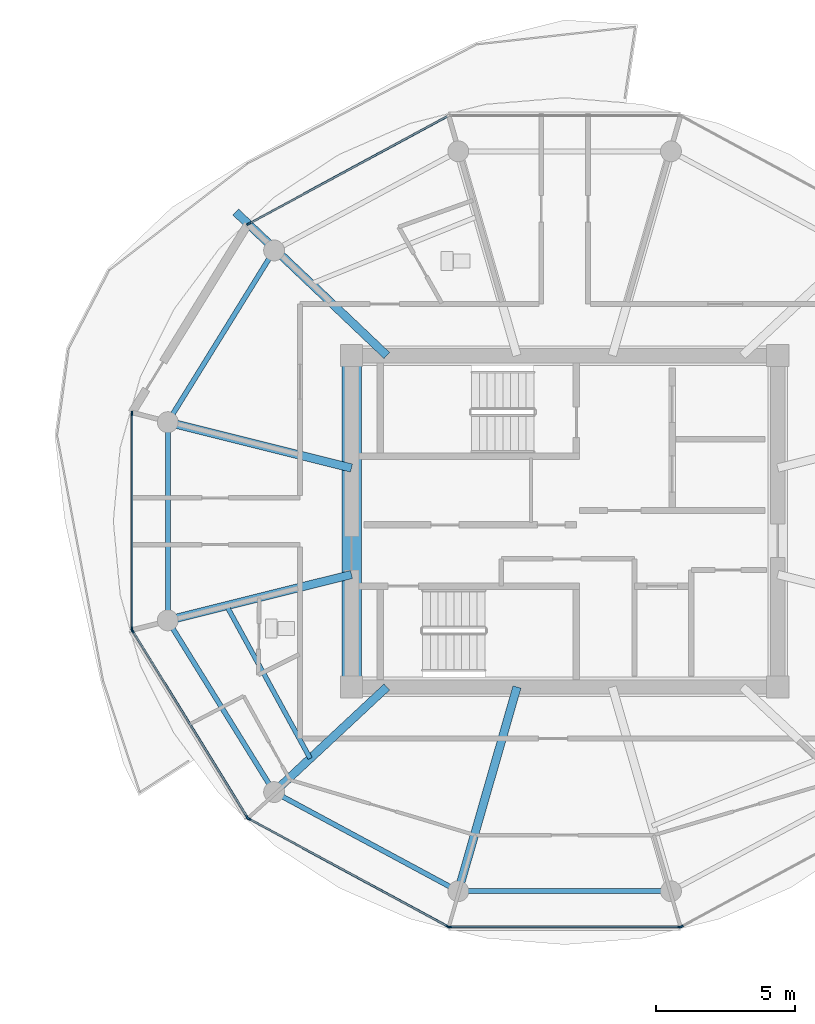
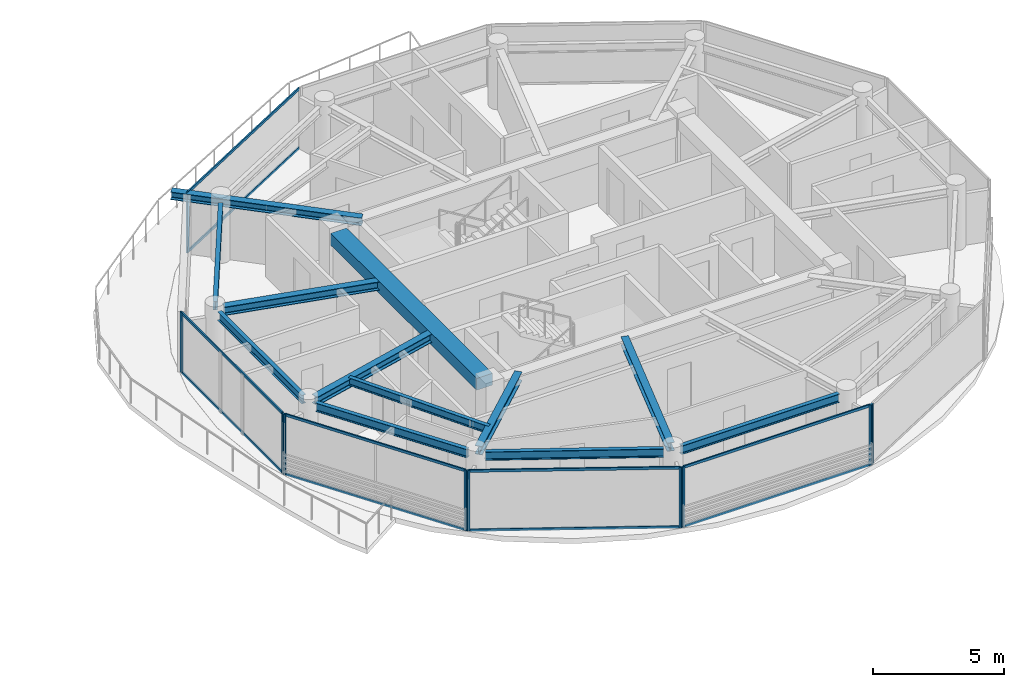
# One storey, part 5 of 19: 20 members, 12 beams, 6 elements without a shape of their own.
"""IFC4 building model written with IfcOpenShell, lengths in metres."""

from ifc_helpers import new_model, si_unit, direction, frame, origin, origin_2d, place, context, subcontext, project, spatial, rectangle, i_section, extrude, source, transform, mapped, material, layer, layer_set, material_profile, profile_set, type_object, type_shapes, element, aggregate, save


model = new_model("IFC4")

# Units and contexts
model_context = context("Model", 3, precision=1e-05, world=origin(), true_north=direction((0.0, 1.0)))
body_context = subcontext(model_context, "Body", "Model", "MODEL_VIEW")
ifc_project = project(units=[si_unit("LENGTHUNIT", "METRE"), si_unit("AREAUNIT", "SQUARE_METRE"), si_unit("VOLUMEUNIT", "CUBIC_METRE"), si_unit("PLANEANGLEUNIT", "RADIAN"), si_unit("MASSUNIT", "GRAM", prefix="KILO")], contexts=[model_context])

# Site, building, storey
site_placement = place(None, origin())
site = spatial("IfcSite", under=ifc_project, at=site_placement, CompositionType="ELEMENT")
building_placement = place(site_placement, origin())
building = spatial("IfcBuilding", under=site, at=building_placement, Name="Norrkilde Senior Care Towers", CompositionType="ELEMENT")
storey_placement = place(building_placement, frame((0.0, 0.0, 193.699951171875)))
storey = spatial("IfcBuildingStorey", under=building, at=storey_placement, Name="L60", CompositionType="ELEMENT", Elevation=193.699951171875)

# Beams
ifc_material_1 = material(Name="Concrete C60/75", Category="concrete")
ifc_material_profile_1 = material_profile(ifc_material_1, rectangle(XDim=0.699951171875, YDim=0.550048828125, at=origin_2d()), Name="RC BM 700x550")
ifc_profile_set_1 = profile_set([ifc_material_profile_1], Name="Concrete C60/75")
beam_type_1 = type_object("IfcBeamType", Name="Core Portal Coupling Beam 700x550", PredefinedType="USERDEFINED", material=ifc_profile_set_1)
shared_shape_1 = source(origin(), body_context, "Body", "SweptSolid", [
    extrude(rectangle(XDim=0.699951171875, YDim=0.550048828125, at=origin_2d()), origin(), (0.0, 0.0, 1.0), 11.14013671875),
])
type_shapes(beam_type_1, [shared_shape_1])
beam_1_placement = place(storey_placement, frame((20.35009765625, -5.570068359375, 2.53515625), z_axis=(0.0, 1.0, 0.0), x_axis=(-1.0, 0.0, 0.0)))
element("IfcBeam", 1, at=beam_1_placement, inside=storey, type_object=beam_type_1, Name="L60 Core E W Coupling Girder", ObjectType="GIRDER", PredefinedType="USERDEFINED", context=body_context, shape_type="MappedRepresentation", body=[
    mapped(shared_shape_1, transform((0.0, 0.0, 0.0), x_axis=(1.0, 0.0, 0.0), y_axis=(0.0, 1.0, 0.0), z_axis=(0.0, 0.0, 1.0), scale=1.0)),
])
ifc_material_2 = material(Name="Steel S355", Category="steel")
ifc_material_profile_2 = material_profile(ifc_material_2, i_section(OverallWidth=0.179931640625, OverallDepth=0.39990234375, WebThickness=0.008544921875, FlangeThickness=0.013427734375, FilletRadius=0.02099609375, at=origin_2d()), Name="IPE 400")
ifc_profile_set_2 = profile_set([ifc_material_profile_2], Name="Steel S355")
beam_type_2 = type_object("IfcBeamType", Name="Perimeter Ring Spandrel Z4 IPE400", PredefinedType="SPANDREL", material=ifc_profile_set_2)
shared_shape_2 = source(origin(), body_context, "Body", "SweptSolid", [
    extrude(i_section(OverallWidth=0.179931640625, OverallDepth=0.39990234375, WebThickness=0.008544921875, FlangeThickness=0.013427734375, FilletRadius=0.02099609375, at=origin_2d()), origin(), (0.0, 0.0, 1.0), 6.58056640625),
])
for number, where, z_axis, x_axis, name in (
    (2, (17.393798828125, 9.43798828125, 2.610107421875), (-0.526529583789, -0.850156807533, 0.0), (0.850156807533, -0.526529583789, 0.0), "L60 Drum E Perimeter Spandrel 05"),
    (3, (13.928955078125, -3.843505859375, 2.610107421875), (0.526529583789, -0.850156807533, 0.0), (0.850156807533, 0.526529583789, 0.0), "L60 Drum E Perimeter Spandrel 07"),
):
    element("IfcBeam", number, at=place(storey_placement, frame(where, z_axis=z_axis, x_axis=x_axis)), inside=storey, type_object=beam_type_2, Name=name, PredefinedType="SPANDREL", context=body_context, shape_type="MappedRepresentation", body=[
        mapped(shared_shape_2, transform((0.0, 0.0, 0.0), x_axis=(1.0, 0.0, 0.0), y_axis=(0.0, 1.0, 0.0), z_axis=(0.0, 0.0, 1.0), scale=1.0)),
    ])
ifc_material_profile_3 = material_profile(ifc_material_2, i_section(OverallWidth=0.300048828125, OverallDepth=0.39990234375, WebThickness=0.013427734375, FlangeThickness=0.02392578125, FilletRadius=0.027099609375, at=origin_2d()), Name="HEB 400")
ifc_profile_set_3 = profile_set([ifc_material_profile_3], Name="Steel S355")
beam_type_3 = type_object("IfcBeamType", Name="Radial Floor Beam Z4 HEB400", PredefinedType="BEAM", material=ifc_profile_set_3)
shared_shape_3 = source(origin(), body_context, "Body", "SweptSolid", [
    extrude(i_section(OverallWidth=0.300048828125, OverallDepth=0.39990234375, WebThickness=0.013427734375, FlangeThickness=0.02392578125, FilletRadius=0.027099609375, at=origin_2d()), origin(), (0.0, 0.0, 1.0), 6.465087890625),
])
for number, where, z_axis, x_axis, name in (
    (4, (20.35009765625, 1.910888671875, 2.610107421875), (-0.970195788563, 0.242322371758, 0.0), (-0.242322371758, -0.970195788563, 0.0), "L60 Drum E Radial Floor Beam 06"),
    (5, (20.35009765625, -1.910888671875, 2.610107421875), (-0.970195788563, -0.242322371758, 0.0), (0.242322371758, -0.970195788563, 0.0), "L60 Drum E Radial Floor Beam 07"),
):
    element("IfcBeam", number, at=place(storey_placement, frame(where, z_axis=z_axis, x_axis=x_axis)), inside=storey, type_object=beam_type_3, Name=name, PredefinedType="BEAM", context=body_context, shape_type="MappedRepresentation", body=[
        mapped(shared_shape_3, transform((0.0, 0.0, 0.0), x_axis=(1.0, 0.0, 0.0), y_axis=(0.0, 1.0, 0.0), z_axis=(0.0, 0.0, 1.0), scale=1.0)),
    ])
shared_shape_4 = source(origin(), body_context, "Body", "SweptSolid", [
    extrude(i_section(OverallWidth=0.179931640625, OverallDepth=0.39990234375, WebThickness=0.008544921875, FlangeThickness=0.013427734375, FilletRadius=0.02099609375, at=origin_2d()), origin(), (0.0, 0.0, 1.0), 6.839111328125),
])
beam_2_placement = place(storey_placement, frame((17.865234375, -9.881591796875, 2.610107421875), z_axis=(0.880563930732, -0.473927382511, 0.0), x_axis=(0.473927382511, 0.880563930732, 0.0)))
element("IfcBeam", 6, at=beam_2_placement, inside=storey, type_object=beam_type_2, Name="L60 Drum E Perimeter Spandrel 08", PredefinedType="SPANDREL", context=body_context, shape_type="MappedRepresentation", body=[
    mapped(shared_shape_4, transform((0.0, 0.0, 0.0), x_axis=(1.0, 0.0, 0.0), y_axis=(0.0, 1.0, 0.0), z_axis=(0.0, 0.0, 1.0), scale=1.0)),
])
shared_shape_5 = source(origin(), body_context, "Body", "SweptSolid", [
    extrude(i_section(OverallWidth=0.300048828125, OverallDepth=0.39990234375, WebThickness=0.013427734375, FlangeThickness=0.02392578125, FilletRadius=0.027099609375, at=origin_2d()), origin(), (0.0, 0.0, 1.0), 5.197998046875),
])
beam_3_placement = place(storey_placement, frame((21.6171875, -5.949951171875, 2.610107421875), z_axis=(-0.731448749334, -0.681896419625, 0.0), x_axis=(0.681896419625, -0.731448749334, 0.0)))
element("IfcBeam", 7, at=beam_3_placement, inside=storey, type_object=beam_type_3, Name="L60 Drum E Radial Floor Beam 08", PredefinedType="BEAM", context=body_context, shape_type="MappedRepresentation", body=[
    mapped(shared_shape_5, transform((0.0, 0.0, 0.0), x_axis=(1.0, 0.0, 0.0), y_axis=(0.0, 1.0, 0.0), z_axis=(0.0, 0.0, 1.0), scale=1.0)),
])
shared_shape_6 = source(origin(), body_context, "Body", "SweptSolid", [
    extrude(i_section(OverallWidth=0.179931640625, OverallDepth=0.39990234375, WebThickness=0.008544921875, FlangeThickness=0.013427734375, FilletRadius=0.02099609375, at=origin_2d()), origin(), (0.0, 0.0, 1.0), 6.96533203125),
])
beam_4_placement = place(storey_placement, frame((24.517333984375, -13.281494140625, 2.610107421875), z_axis=(1.0, 0.0, 0.0), x_axis=(0.0, 1.0, 0.0)))
element("IfcBeam", 8, at=beam_4_placement, inside=storey, type_object=beam_type_2, Name="L60 Drum E Perimeter Spandrel 09", PredefinedType="SPANDREL", context=body_context, shape_type="MappedRepresentation", body=[
    mapped(shared_shape_6, transform((0.0, 0.0, 0.0), x_axis=(1.0, 0.0, 0.0), y_axis=(0.0, 1.0, 0.0), z_axis=(0.0, 0.0, 1.0), scale=1.0)),
])
shared_shape_7 = source(origin(), body_context, "Body", "SweptSolid", [
    extrude(i_section(OverallWidth=0.300048828125, OverallDepth=0.39990234375, WebThickness=0.013427734375, FlangeThickness=0.02392578125, FilletRadius=0.027099609375, at=origin_2d()), origin(), (0.0, 0.0, 1.0), 7.29345703125),
])
type_shapes(beam_type_3, [shared_shape_3, shared_shape_5, shared_shape_7])
beam_5_placement = place(storey_placement, frame((26.289794921875, -5.949951171875, 2.610107421875), z_axis=(-0.276263751906, -0.961081858836, 0.0), x_axis=(0.961081858836, -0.276263751906, 0.0)))
element("IfcBeam", 9, at=beam_5_placement, inside=storey, type_object=beam_type_3, Name="L60 Drum E Radial Floor Beam 09", PredefinedType="BEAM", context=body_context, shape_type="MappedRepresentation", body=[
    mapped(shared_shape_7, transform((0.0, 0.0, 0.0), x_axis=(1.0, 0.0, 0.0), y_axis=(0.0, 1.0, 0.0), z_axis=(0.0, 0.0, 1.0), scale=1.0)),
])
shared_shape_8 = source(origin(), body_context, "Body", "SweptSolid", [
    extrude(i_section(OverallWidth=0.179931640625, OverallDepth=0.39990234375, WebThickness=0.008544921875, FlangeThickness=0.013427734375, FilletRadius=0.02099609375, at=origin_2d()), origin(), (0.0, 0.0, 1.0), 6.44775390625),
])
type_shapes(beam_type_2, [shared_shape_2, shared_shape_4, shared_shape_6, shared_shape_8])
beam_6_placement = place(storey_placement, frame((13.752685546875, 3.223876953125, 2.610107421875), z_axis=(0.0, -1.0, 0.0), x_axis=(1.0, 0.0, 0.0)))
element("IfcBeam", 10, at=beam_6_placement, inside=storey, type_object=beam_type_2, Name="L60 Drum E Perimeter Spandrel 06", PredefinedType="SPANDREL", context=body_context, shape_type="MappedRepresentation", body=[
    mapped(shared_shape_8, transform((0.0, 0.0, 0.0), x_axis=(1.0, 0.0, 0.0), y_axis=(0.0, 1.0, 0.0), z_axis=(0.0, 0.0, 1.0), scale=1.0)),
])
ifc_material_profile_4 = material_profile(ifc_material_2, i_section(OverallWidth=0.169921875, OverallDepth=0.360107421875, WebThickness=0.008056640625, FlangeThickness=0.0126953125, FilletRadius=0.01806640625, at=origin_2d()), Name="IPE 360")
ifc_profile_set_4 = profile_set([ifc_material_profile_4], Name="Steel S355")
beam_type_4 = type_object("IfcBeamType", Name="Secondary Floor Joist IPE360", PredefinedType="JOIST", material=ifc_profile_set_4)
shared_shape_9 = source(origin(), body_context, "Body", "SweptSolid", [
    extrude(i_section(OverallWidth=0.169921875, OverallDepth=0.360107421875, WebThickness=0.008056640625, FlangeThickness=0.0126953125, FilletRadius=0.01806640625, at=origin_2d()), origin(), (0.0, 0.0, 1.0), 6.25146484375),
])
type_shapes(beam_type_4, [shared_shape_9])
beam_7_placement = place(storey_placement, frame((15.86376953125, -3.031494140625, 2.630126953125), z_axis=(0.480115752653, -0.877205143655, 0.0), x_axis=(0.877205143655, 0.480115752653, 0.0)))
element("IfcBeam", 11, at=beam_7_placement, inside=storey, type_object=beam_type_4, Name="L60 Drum E Secondary Floor Joist 3", PredefinedType="JOIST", context=body_context, shape_type="MappedRepresentation", body=[
    mapped(shared_shape_9, transform((0.0, 0.0, 0.0), x_axis=(1.0, 0.0, 0.0), y_axis=(0.0, 1.0, 0.0), z_axis=(0.0, 0.0, 1.0), scale=1.0)),
])
ifc_material_profile_5 = material_profile(ifc_material_2, i_section(OverallWidth=0.300048828125, OverallDepth=0.360107421875, WebThickness=0.012451171875, FlangeThickness=0.0224609375, FilletRadius=0.027099609375, at=origin_2d()), Name="HEB 360")
ifc_profile_set_5 = profile_set([ifc_material_profile_5], Name="Steel S355")
beam_type_5 = type_object("IfcBeamType", Name="Balcony Crest Cantilever Rib HEB360", PredefinedType="BEAM", material=ifc_profile_set_5)
shared_shape_10 = source(origin(), body_context, "Body", "SweptSolid", [
    extrude(i_section(OverallWidth=0.300048828125, OverallDepth=0.360107421875, WebThickness=0.012451171875, FlangeThickness=0.0224609375, FilletRadius=0.027099609375, at=origin_2d()), origin(), (0.0, 0.0, 1.0), 7.48193359375),
])
type_shapes(beam_type_5, [shared_shape_10])
beam_8_placement = place(storey_placement, frame((21.6171875, 5.949951171875, 2.630126953125), z_axis=(-0.725191675346, 0.688547045603, 0.0), x_axis=(-0.688547045603, -0.725191675346, 0.0)))
element("IfcBeam", 12, at=beam_8_placement, inside=storey, type_object=beam_type_5, Name="L60 Drum E Balcony Cantilever Rib", PredefinedType="BEAM", context=body_context, shape_type="MappedRepresentation", body=[
    mapped(shared_shape_10, transform((0.0, 0.0, 0.0), x_axis=(1.0, 0.0, 0.0), y_axis=(0.0, 1.0, 0.0), z_axis=(0.0, 0.0, 1.0), scale=1.0)),
])

# Curtain wall, member
ifc_material_3 = material(Name="Triple Low-E Insulated Glazing", Category="glass")
ifc_layer = layer(ifc_material_3, 0.18505859375)
ifc_layer_set = layer_set([ifc_layer], Name="Triple Low-E Insulated Glazing")
curtain_wall_type = type_object("IfcCurtainWallType", Name="CW6 Zone 4 Crown Pavilion Curtain Wall", PredefinedType="NOTDEFINED", material=ifc_layer_set)
curtain_wall_1_placement = place(storey_placement, origin())
curtain_wall_1 = element("IfcCurtainWall", 13, at=curtain_wall_1_placement, inside=storey, type_object=curtain_wall_type, Name="L60 Drum E Curtain Wall 03", PredefinedType="NOTDEFINED")
ifc_material_4 = material(Name="Anodised Aluminium", Category="aluminium")
ifc_material_profile_6 = material_profile(ifc_material_4, rectangle(XDim=0.06494140625, YDim=0.14990234375, at=origin_2d()), Name="ALU MULL 65x150")
ifc_profile_set_6 = profile_set([ifc_material_profile_6], Name="Anodised Aluminium")
member_type_1 = type_object("IfcMemberType", Name="Curtain Wall Mullion Z3-Z4 65x150", PredefinedType="MULLION", material=ifc_profile_set_6)
shared_shape_11 = source(origin(), body_context, "Body", "SweptSolid", [
    extrude(rectangle(XDim=0.06494140625, YDim=0.14990234375, at=origin_2d()), origin(), (0.0, 0.0, 1.0), 2.81005859375),
])
type_shapes(member_type_1, [shared_shape_11])
member_1_placement = place(storey_placement, frame((16.658203125, 10.6787109375, 0.0), z_axis=(0.0, 0.0, 1.0), x_axis=(-0.476132676136, 0.879373455772, 0.0)))
member_1 = element("IfcMember", 14, at=member_1_placement, type_object=member_type_1, Name="CW-6 mullion 1", PredefinedType="MULLION", context=body_context, shape_type="MappedRepresentation", body=[
    mapped(shared_shape_11, transform((0.0, 0.0, 0.0), x_axis=(1.0, 0.0, 0.0), y_axis=(0.0, 1.0, 0.0), z_axis=(0.0, 0.0, 1.0), scale=1.0)),
])

# Curtain wall, members
curtain_wall_2_placement = place(storey_placement, origin())
curtain_wall_2 = element("IfcCurtainWall", 15, at=curtain_wall_2_placement, inside=storey, type_object=curtain_wall_type, Name="L60 Drum E Curtain Wall 05", PredefinedType="NOTDEFINED")
member_2_placement = place(storey_placement, frame((12.468017578125, -3.87060546875, 0.0), z_axis=(0.0, 0.0, 1.0), x_axis=(-1.0, 0.0, 0.0)))
member_2 = element("IfcMember", 16, at=member_2_placement, type_object=member_type_1, Name="CW-6 mullion 1", PredefinedType="MULLION", context=body_context, shape_type="MappedRepresentation", body=[
    mapped(shared_shape_11, transform((0.0, 0.0, 0.0), x_axis=(1.0, 0.0, 0.0), y_axis=(0.0, 1.0, 0.0), z_axis=(0.0, 0.0, 1.0), scale=1.0)),
])
member_3_placement = place(storey_placement, frame((12.468017578125, 3.87060546875, 0.0), z_axis=(0.0, 0.0, 1.0), x_axis=(-1.0, 0.0, 0.0)))
member_3 = element("IfcMember", 17, at=member_3_placement, type_object=member_type_1, Name="CW-6 mullion 2", PredefinedType="MULLION", context=body_context, shape_type="MappedRepresentation", body=[
    mapped(shared_shape_11, transform((0.0, 0.0, 0.0), x_axis=(1.0, 0.0, 0.0), y_axis=(0.0, 1.0, 0.0), z_axis=(0.0, 0.0, 1.0), scale=1.0)),
])

curtain_wall_3_placement = place(storey_placement, origin())
curtain_wall_3 = element("IfcCurtainWall", 18, at=curtain_wall_3_placement, inside=storey, type_object=curtain_wall_type, Name="L60 Drum E Curtain Wall 06", PredefinedType="NOTDEFINED")
member_4_placement = place(storey_placement, frame((16.61279296875, -10.635498046875, 0.0), z_axis=(0.0, 0.0, 1.0), x_axis=(-0.851562727283, -0.524252726748, 0.0)))
member_4 = element("IfcMember", 19, at=member_4_placement, type_object=member_type_1, Name="CW-6 mullion 1", PredefinedType="MULLION", context=body_context, shape_type="MappedRepresentation", body=[
    mapped(shared_shape_11, transform((0.0, 0.0, 0.0), x_axis=(1.0, 0.0, 0.0), y_axis=(0.0, 1.0, 0.0), z_axis=(0.0, 0.0, 1.0), scale=1.0)),
])
member_5_placement = place(storey_placement, frame((12.48486328125, -3.9306640625, 0.0), z_axis=(0.0, 0.0, 1.0), x_axis=(-0.851562727283, -0.524252726748, 0.0)))
member_5 = element("IfcMember", 20, at=member_5_placement, type_object=member_type_1, Name="CW-6 mullion 2", PredefinedType="MULLION", context=body_context, shape_type="MappedRepresentation", body=[
    mapped(shared_shape_11, transform((0.0, 0.0, 0.0), x_axis=(1.0, 0.0, 0.0), y_axis=(0.0, 1.0, 0.0), z_axis=(0.0, 0.0, 1.0), scale=1.0)),
])

curtain_wall_4_placement = place(storey_placement, origin())
curtain_wall_4 = element("IfcCurtainWall", 21, at=curtain_wall_4_placement, inside=storey, type_object=curtain_wall_type, Name="L60 Drum E Curtain Wall 07", PredefinedType="NOTDEFINED")
member_6_placement = place(storey_placement, frame((23.8095703125, -14.55078125, 0.0), z_axis=(0.0, 0.0, 1.0), x_axis=(-0.476132676136, -0.879373455772, 0.0)))
member_6 = element("IfcMember", 22, at=member_6_placement, type_object=member_type_1, Name="CW-6 mullion 1", PredefinedType="MULLION", context=body_context, shape_type="MappedRepresentation", body=[
    mapped(shared_shape_11, transform((0.0, 0.0, 0.0), x_axis=(1.0, 0.0, 0.0), y_axis=(0.0, 1.0, 0.0), z_axis=(0.0, 0.0, 1.0), scale=1.0)),
])
member_7_placement = place(storey_placement, frame((16.658203125, -10.6787109375, 0.0), z_axis=(0.0, 0.0, 1.0), x_axis=(-0.476132676136, -0.879373455772, 0.0)))
member_7 = element("IfcMember", 23, at=member_7_placement, type_object=member_type_1, Name="CW-6 mullion 2", PredefinedType="MULLION", context=body_context, shape_type="MappedRepresentation", body=[
    mapped(shared_shape_11, transform((0.0, 0.0, 0.0), x_axis=(1.0, 0.0, 0.0), y_axis=(0.0, 1.0, 0.0), z_axis=(0.0, 0.0, 1.0), scale=1.0)),
])

curtain_wall_5_placement = place(storey_placement, origin())
curtain_wall_5 = element("IfcCurtainWall", 24, at=curtain_wall_5_placement, inside=storey, type_object=curtain_wall_type, Name="L60 Drum E Curtain Wall 08", PredefinedType="NOTDEFINED")
member_8_placement = place(storey_placement, frame((32.12939453125, -14.566162109375, 0.0), z_axis=(0.0, 0.0, 1.0), x_axis=(0.0, -1.0, 0.0)))
member_8 = element("IfcMember", 25, at=member_8_placement, type_object=member_type_1, Name="CW-6 mullion 1", PredefinedType="MULLION", context=body_context, shape_type="MappedRepresentation", body=[
    mapped(shared_shape_11, transform((0.0, 0.0, 0.0), x_axis=(1.0, 0.0, 0.0), y_axis=(0.0, 1.0, 0.0), z_axis=(0.0, 0.0, 1.0), scale=1.0)),
])
member_9_placement = place(storey_placement, frame((23.87060546875, -14.566162109375, 0.0), z_axis=(0.0, 0.0, 1.0), x_axis=(0.0, -1.0, 0.0)))
member_9 = element("IfcMember", 26, at=member_9_placement, type_object=member_type_1, Name="CW-6 mullion 2", PredefinedType="MULLION", context=body_context, shape_type="MappedRepresentation", body=[
    mapped(shared_shape_11, transform((0.0, 0.0, 0.0), x_axis=(1.0, 0.0, 0.0), y_axis=(0.0, 1.0, 0.0), z_axis=(0.0, 0.0, 1.0), scale=1.0)),
])

# Curtain wall, member
curtain_wall_6_placement = place(storey_placement, origin())
curtain_wall_6 = element("IfcCurtainWall", 27, at=curtain_wall_6_placement, inside=storey, type_object=curtain_wall_type, Name="L60 Drum E Curtain Wall 09", PredefinedType="NOTDEFINED")
member_10_placement = place(storey_placement, frame((32.1904296875, -14.55078125, 0.0), z_axis=(0.0, 0.0, 1.0), x_axis=(0.476132676136, -0.879373455772, 0.0)))
member_10 = element("IfcMember", 28, at=member_10_placement, type_object=member_type_1, Name="CW-6 mullion 2", PredefinedType="MULLION", context=body_context, shape_type="MappedRepresentation", body=[
    mapped(shared_shape_11, transform((0.0, 0.0, 0.0), x_axis=(1.0, 0.0, 0.0), y_axis=(0.0, 1.0, 0.0), z_axis=(0.0, 0.0, 1.0), scale=1.0)),
])
aggregate(curtain_wall_6, [member_10])

# Member
ifc_material_profile_7 = material_profile(ifc_material_4, rectangle(XDim=0.06005859375, YDim=0.1201171875, at=origin_2d()), Name="ALU TRAN 60x120")
ifc_profile_set_7 = profile_set([ifc_material_profile_7], Name="Anodised Aluminium")
member_type_2 = type_object("IfcMemberType", Name="Curtain Wall Transom Typical 60x120", PredefinedType="USERDEFINED", material=ifc_profile_set_7)
shared_shape_12 = source(origin(), body_context, "Body", "SweptSolid", [
    extrude(rectangle(XDim=0.06005859375, YDim=0.1201171875, at=origin_2d()), origin(), (0.0, 0.0, 1.0), 7.808837890625),
])
member_11_placement = place(storey_placement, frame((16.595703125, -10.60791015625, 0.030029296875), z_axis=(-0.524250924101, 0.851563837055, 0.0), x_axis=(-0.851563837055, -0.524250924101, 0.0)))
member_11 = element("IfcMember", 29, at=member_11_placement, type_object=member_type_2, Name="CW-6 transom 1.1", ObjectType="TRANSOM", PredefinedType="USERDEFINED", context=body_context, shape_type="MappedRepresentation", body=[
    mapped(shared_shape_12, transform((0.0, 0.0, 0.0), x_axis=(1.0, 0.0, 0.0), y_axis=(0.0, 1.0, 0.0), z_axis=(0.0, 0.0, 1.0), scale=1.0)),
])

member_12_placement = place(storey_placement, frame((16.595703125, -10.60791015625, 2.780029296875), z_axis=(-0.524250924101, 0.851563837055, 0.0), x_axis=(-0.851563837055, -0.524250924101, 0.0)))
member_12 = element("IfcMember", 30, at=member_12_placement, type_object=member_type_2, Name="CW-6 transom 1.2", ObjectType="TRANSOM", PredefinedType="USERDEFINED", context=body_context, shape_type="MappedRepresentation", body=[
    mapped(shared_shape_12, transform((0.0, 0.0, 0.0), x_axis=(1.0, 0.0, 0.0), y_axis=(0.0, 1.0, 0.0), z_axis=(0.0, 0.0, 1.0), scale=1.0)),
])

aggregate(curtain_wall_3, [member_4, member_5, member_11, member_12])

shared_shape_13 = source(origin(), body_context, "Body", "SweptSolid", [
    extrude(rectangle(XDim=0.06005859375, YDim=0.1201171875, at=origin_2d()), origin(), (0.0, 0.0, 1.0), 8.19384765625),
])
member_13_placement = place(storey_placement, frame((32.096923828125, -14.566162109375, 0.030029296875), z_axis=(-1.0, 0.0, 0.0), x_axis=(0.0, -1.0, 0.0)))
member_13 = element("IfcMember", 31, at=member_13_placement, type_object=member_type_2, Name="CW-6 transom 1.1", ObjectType="TRANSOM", PredefinedType="USERDEFINED", context=body_context, shape_type="MappedRepresentation", body=[
    mapped(shared_shape_13, transform((0.0, 0.0, 0.0), x_axis=(1.0, 0.0, 0.0), y_axis=(0.0, 1.0, 0.0), z_axis=(0.0, 0.0, 1.0), scale=1.0)),
])

member_14_placement = place(storey_placement, frame((32.096923828125, -14.566162109375, 2.780029296875), z_axis=(-1.0, 0.0, 0.0), x_axis=(0.0, -1.0, 0.0)))
member_14 = element("IfcMember", 32, at=member_14_placement, type_object=member_type_2, Name="CW-6 transom 1.2", ObjectType="TRANSOM", PredefinedType="USERDEFINED", context=body_context, shape_type="MappedRepresentation", body=[
    mapped(shared_shape_13, transform((0.0, 0.0, 0.0), x_axis=(1.0, 0.0, 0.0), y_axis=(0.0, 1.0, 0.0), z_axis=(0.0, 0.0, 1.0), scale=1.0)),
])

aggregate(curtain_wall_5, [member_8, member_9, member_13, member_14])

shared_shape_14 = source(origin(), body_context, "Body", "SweptSolid", [
    extrude(rectangle(XDim=0.06005859375, YDim=0.1201171875, at=origin_2d()), origin(), (0.0, 0.0, 1.0), 8.0673828125),
])
member_15_placement = place(storey_placement, frame((16.686767578125, 10.694091796875, 0.030029296875), z_axis=(0.87937750072, 0.476125205411, 0.0), x_axis=(-0.476125205411, 0.87937750072, 0.0)))
member_15 = element("IfcMember", 33, at=member_15_placement, type_object=member_type_2, Name="CW-6 transom 1.1", ObjectType="TRANSOM", PredefinedType="USERDEFINED", context=body_context, shape_type="MappedRepresentation", body=[
    mapped(shared_shape_14, transform((0.0, 0.0, 0.0), x_axis=(1.0, 0.0, 0.0), y_axis=(0.0, 1.0, 0.0), z_axis=(0.0, 0.0, 1.0), scale=1.0)),
])

member_16_placement = place(storey_placement, frame((16.686767578125, 10.694091796875, 2.780029296875), z_axis=(0.87937750072, 0.476125205411, 0.0), x_axis=(-0.476125205411, 0.87937750072, 0.0)))
member_16 = element("IfcMember", 34, at=member_16_placement, type_object=member_type_2, Name="CW-6 transom 1.2", ObjectType="TRANSOM", PredefinedType="USERDEFINED", context=body_context, shape_type="MappedRepresentation", body=[
    mapped(shared_shape_14, transform((0.0, 0.0, 0.0), x_axis=(1.0, 0.0, 0.0), y_axis=(0.0, 1.0, 0.0), z_axis=(0.0, 0.0, 1.0), scale=1.0)),
])

aggregate(curtain_wall_1, [member_1, member_15, member_16])

member_17_placement = place(storey_placement, frame((23.781005859375, -14.53515625, 0.030029296875), z_axis=(-0.87937750072, 0.476125205411, 0.0), x_axis=(-0.476125205411, -0.87937750072, 0.0)))
member_17 = element("IfcMember", 35, at=member_17_placement, type_object=member_type_2, Name="CW-6 transom 1.1", ObjectType="TRANSOM", PredefinedType="USERDEFINED", context=body_context, shape_type="MappedRepresentation", body=[
    mapped(shared_shape_14, transform((0.0, 0.0, 0.0), x_axis=(1.0, 0.0, 0.0), y_axis=(0.0, 1.0, 0.0), z_axis=(0.0, 0.0, 1.0), scale=1.0)),
])

member_18_placement = place(storey_placement, frame((23.781005859375, -14.53515625, 2.780029296875), z_axis=(-0.87937750072, 0.476125205411, 0.0), x_axis=(-0.476125205411, -0.87937750072, 0.0)))
member_18 = element("IfcMember", 36, at=member_18_placement, type_object=member_type_2, Name="CW-6 transom 1.2", ObjectType="TRANSOM", PredefinedType="USERDEFINED", context=body_context, shape_type="MappedRepresentation", body=[
    mapped(shared_shape_14, transform((0.0, 0.0, 0.0), x_axis=(1.0, 0.0, 0.0), y_axis=(0.0, 1.0, 0.0), z_axis=(0.0, 0.0, 1.0), scale=1.0)),
])

aggregate(curtain_wall_4, [member_6, member_7, member_17, member_18])

shared_shape_15 = source(origin(), body_context, "Body", "SweptSolid", [
    extrude(rectangle(XDim=0.06005859375, YDim=0.1201171875, at=origin_2d()), origin(), (0.0, 0.0, 1.0), 7.67578125),
])
type_shapes(member_type_2, [shared_shape_12, shared_shape_13, shared_shape_14, shared_shape_15])
member_19_placement = place(storey_placement, frame((12.468017578125, -3.837890625, 0.030029296875), z_axis=(0.0, 1.0, 0.0), x_axis=(-1.0, 0.0, 0.0)))
member_19 = element("IfcMember", 37, at=member_19_placement, type_object=member_type_2, Name="CW-6 transom 1.1", ObjectType="TRANSOM", PredefinedType="USERDEFINED", context=body_context, shape_type="MappedRepresentation", body=[
    mapped(shared_shape_15, transform((0.0, 0.0, 0.0), x_axis=(1.0, 0.0, 0.0), y_axis=(0.0, 1.0, 0.0), z_axis=(0.0, 0.0, 1.0), scale=1.0)),
])

member_20_placement = place(storey_placement, frame((12.468017578125, -3.837890625, 2.780029296875), z_axis=(0.0, 1.0, 0.0), x_axis=(-1.0, 0.0, 0.0)))
member_20 = element("IfcMember", 38, at=member_20_placement, type_object=member_type_2, Name="CW-6 transom 1.2", ObjectType="TRANSOM", PredefinedType="USERDEFINED", context=body_context, shape_type="MappedRepresentation", body=[
    mapped(shared_shape_15, transform((0.0, 0.0, 0.0), x_axis=(1.0, 0.0, 0.0), y_axis=(0.0, 1.0, 0.0), z_axis=(0.0, 0.0, 1.0), scale=1.0)),
])

aggregate(curtain_wall_2, [member_2, member_3, member_19, member_20])

save(model, "model.ifc")
